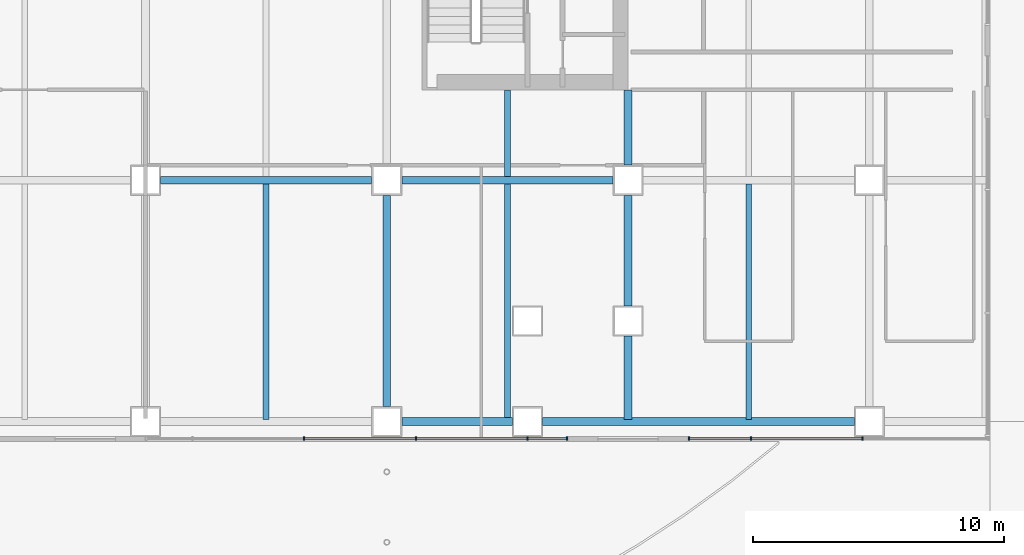
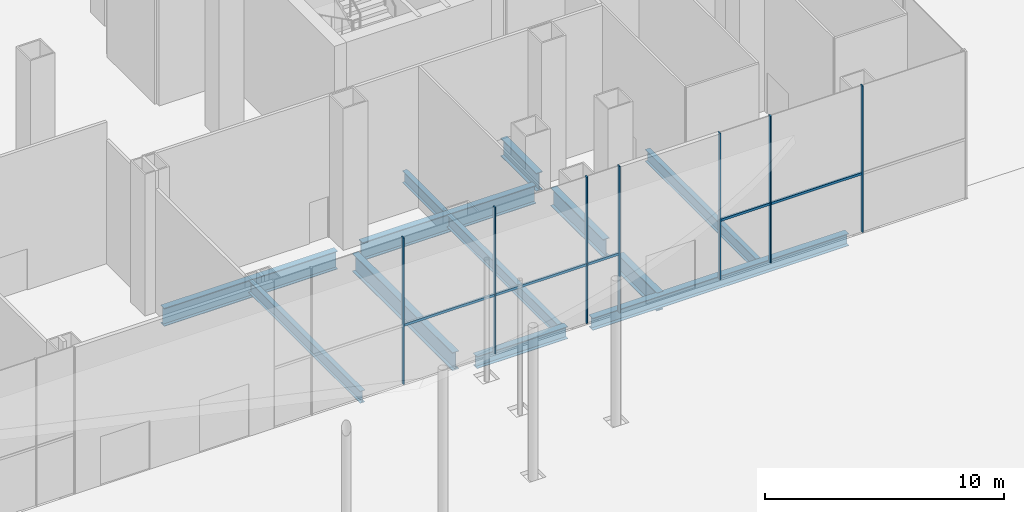
# One storey, part 11 of 36: 12 beams, 12 members, 2 elements without a shape of their own.
"""IFC4 building model written with IfcOpenShell, lengths in metres."""

from ifc_helpers import new_model, si_unit, direction, frame, origin, origin_2d, place, context, subcontext, project, spatial, rectangle, i_section, extrude, material, material_profile, profile_set, type_object, element, aggregate, save


model = new_model("IFC4")

# Units and contexts
model_context = context("Model", 3, precision=1e-05, world=origin(), true_north=direction((0.0, 1.0)))
body_context = subcontext(model_context, "Body", "Model", "MODEL_VIEW")
ifc_project = project(units=[si_unit("LENGTHUNIT", "METRE"), si_unit("AREAUNIT", "SQUARE_METRE"), si_unit("VOLUMEUNIT", "CUBIC_METRE"), si_unit("PLANEANGLEUNIT", "RADIAN"), si_unit("MASSUNIT", "GRAM", prefix="KILO")], contexts=[model_context])

# Site, building, storey
site_placement = place(None, origin())
site = spatial("IfcSite", under=ifc_project, at=site_placement, CompositionType="ELEMENT")
building_placement = place(site_placement, origin())
building = spatial("IfcBuilding", under=site, at=building_placement, Name="Cobrizo Arcos Hotel Tower", CompositionType="ELEMENT")
storey_placement = place(building_placement, origin())
storey = spatial("IfcBuildingStorey", under=building, at=storey_placement, Name="L00", CompositionType="ELEMENT", Elevation=0.0)

# Curtain wall, members
ifc_material_1 = material(Name="Aluminium 6063-T6 anodised bronze", Category="aluminium")
curtain_wall_type = type_object("IfcCurtainWallType", Name="CW-A guest facade", PredefinedType="NOTDEFINED", material=ifc_material_1)
curtain_wall_1_placement = place(storey_placement, origin())
curtain_wall_1 = element("IfcCurtainWall", 1, at=curtain_wall_1_placement, inside=storey, type_object=curtain_wall_type, Name="CW-A L00 S face", PredefinedType="NOTDEFINED")
ifc_material_profile_1 = material_profile(ifc_material_1, rectangle(XDim=0.14990234375, YDim=0.06005859375, at=origin_2d()), Name="CW-A mullion 150x60")
ifc_profile_set_1 = profile_set([ifc_material_profile_1], Name="Aluminium 6063-T6 anodised bronze")
member_type_1 = type_object("IfcMemberType", Name="CW-A mullion 150x60", PredefinedType="MULLION", material=ifc_profile_set_1)
member_1_placement = place(storey_placement, frame((11.111083984375, -24.675048828125, 0.0), z_axis=(0.0, 0.0, 1.0), x_axis=(0.0, -1.0, 0.0)))
member_1 = element("IfcMember", 2, at=member_1_placement, type_object=member_type_1, Name="CW-A mullion 3", PredefinedType="MULLION", context=body_context, shape_type="SweptSolid", body=[
    extrude(rectangle(XDim=0.14990234375, YDim=0.06005859375, at=origin_2d()), origin(), (0.0, 0.0, 1.0), 7.5),
])
member_2_placement = place(storey_placement, frame((15.5556640625, -24.675048828125, 0.0), z_axis=(0.0, 0.0, 1.0), x_axis=(0.0, -1.0, 0.0)))
member_2 = element("IfcMember", 3, at=member_2_placement, type_object=member_type_1, Name="CW-A mullion 4", PredefinedType="MULLION", context=body_context, shape_type="SweptSolid", body=[
    extrude(rectangle(XDim=0.14990234375, YDim=0.06005859375, at=origin_2d()), origin(), (0.0, 0.0, 1.0), 7.5),
])
member_3_placement = place(storey_placement, frame((20.0, -24.675048828125, 0.0), z_axis=(0.0, 0.0, 1.0), x_axis=(0.0, -1.0, 0.0)))
member_3 = element("IfcMember", 4, at=member_3_placement, type_object=member_type_1, Name="CW-A mullion 5", PredefinedType="MULLION", context=body_context, shape_type="SweptSolid", body=[
    extrude(rectangle(XDim=0.14990234375, YDim=0.06005859375, at=origin_2d()), origin(), (0.0, 0.0, 1.0), 7.5),
])
member_4_placement = place(storey_placement, frame((21.570068359375, -24.675048828125, 0.0), z_axis=(0.0, 0.0, 1.0), x_axis=(0.0, -1.0, 0.0)))
member_4 = element("IfcMember", 5, at=member_4_placement, type_object=member_type_1, Name="CW-A mullion 6", PredefinedType="MULLION", context=body_context, shape_type="SweptSolid", body=[
    extrude(rectangle(XDim=0.14990234375, YDim=0.06005859375, at=origin_2d()), origin(), (0.0, 0.0, 1.0), 7.5),
])

curtain_wall_2_placement = place(storey_placement, origin())
curtain_wall_2 = element("IfcCurtainWall", 6, at=curtain_wall_2_placement, inside=storey, type_object=curtain_wall_type, Name="CW-A L00 S face", PredefinedType="NOTDEFINED")
member_5_placement = place(storey_placement, frame((26.429931640625, -24.675048828125, 0.0), z_axis=(0.0, 0.0, 1.0), x_axis=(0.0, -1.0, 0.0)))
member_5 = element("IfcMember", 7, at=member_5_placement, type_object=member_type_1, Name="CW-A mullion 1", PredefinedType="MULLION", context=body_context, shape_type="SweptSolid", body=[
    extrude(rectangle(XDim=0.14990234375, YDim=0.06005859375, at=origin_2d()), origin(), (0.0, 0.0, 1.0), 7.5),
])
member_6_placement = place(storey_placement, frame((28.888916015625, -24.675048828125, 0.0), z_axis=(0.0, 0.0, 1.0), x_axis=(0.0, -1.0, 0.0)))
member_6 = element("IfcMember", 8, at=member_6_placement, type_object=member_type_1, Name="CW-A mullion 2", PredefinedType="MULLION", context=body_context, shape_type="SweptSolid", body=[
    extrude(rectangle(XDim=0.14990234375, YDim=0.06005859375, at=origin_2d()), origin(), (0.0, 0.0, 1.0), 7.5),
])
member_7_placement = place(storey_placement, frame((33.333251953125, -24.675048828125, 0.0), z_axis=(0.0, 0.0, 1.0), x_axis=(0.0, -1.0, 0.0)))
member_7 = element("IfcMember", 9, at=member_7_placement, type_object=member_type_1, Name="CW-A mullion 3", PredefinedType="MULLION", context=body_context, shape_type="SweptSolid", body=[
    extrude(rectangle(XDim=0.14990234375, YDim=0.06005859375, at=origin_2d()), origin(), (0.0, 0.0, 1.0), 7.5),
])

# Member
ifc_material_profile_2 = material_profile(ifc_material_1, rectangle(XDim=0.10009765625, YDim=0.1201171875, at=origin_2d()), Name="CW-A transom 120x100")
ifc_profile_set_2 = profile_set([ifc_material_profile_2], Name="Aluminium 6063-T6 anodised bronze")
member_type_2 = type_object("IfcMemberType", Name="CW-A transom 120x100", PredefinedType="USERDEFINED", material=ifc_profile_set_2)
member_8_placement = place(storey_placement, frame((11.14111328125, -24.675048828125, 3.0), z_axis=(1.0, 0.0, 0.0), x_axis=(0.0, 1.0, 0.0)))
member_8 = element("IfcMember", 10, at=member_8_placement, type_object=member_type_2, Name="CW-A transom 47", ObjectType="TRANSOM", PredefinedType="USERDEFINED", context=body_context, shape_type="SweptSolid", body=[
    extrude(rectangle(XDim=0.10009765625, YDim=0.1201171875, at=origin_2d()), origin(), (0.0, 0.0, 1.0), 4.384521484375),
])

member_9_placement = place(storey_placement, frame((15.58544921875, -24.675048828125, 3.0), z_axis=(1.0, 0.0, 0.0), x_axis=(0.0, 1.0, 0.0)))
member_9 = element("IfcMember", 11, at=member_9_placement, type_object=member_type_2, Name="CW-A transom 48", ObjectType="TRANSOM", PredefinedType="USERDEFINED", context=body_context, shape_type="SweptSolid", body=[
    extrude(rectangle(XDim=0.10009765625, YDim=0.1201171875, at=origin_2d()), origin(), (0.0, 0.0, 1.0), 4.384521484375),
])

member_10_placement = place(storey_placement, frame((20.030029296875, -24.675048828125, 3.0), z_axis=(1.0, 0.0, 0.0), x_axis=(0.0, 1.0, 0.0)))
member_10 = element("IfcMember", 12, at=member_10_placement, type_object=member_type_2, Name="CW-A transom 49", ObjectType="TRANSOM", PredefinedType="USERDEFINED", context=body_context, shape_type="SweptSolid", body=[
    extrude(rectangle(XDim=0.10009765625, YDim=0.1201171875, at=origin_2d()), origin(), (0.0, 0.0, 1.0), 1.510009765625),
])

aggregate(curtain_wall_1, [member_1, member_2, member_3, member_4, member_8, member_9, member_10])

member_11_placement = place(storey_placement, frame((26.4599609375, -24.675048828125, 3.0), z_axis=(1.0, 0.0, 0.0), x_axis=(0.0, 1.0, 0.0)))
member_11 = element("IfcMember", 13, at=member_11_placement, type_object=member_type_2, Name="CW-A transom 50", ObjectType="TRANSOM", PredefinedType="USERDEFINED", context=body_context, shape_type="SweptSolid", body=[
    extrude(rectangle(XDim=0.10009765625, YDim=0.1201171875, at=origin_2d()), origin(), (0.0, 0.0, 1.0), 2.39892578125),
])

member_12_placement = place(storey_placement, frame((28.9189453125, -24.675048828125, 3.0), z_axis=(1.0, 0.0, 0.0), x_axis=(0.0, 1.0, 0.0)))
member_12 = element("IfcMember", 14, at=member_12_placement, type_object=member_type_2, Name="CW-A transom 51", ObjectType="TRANSOM", PredefinedType="USERDEFINED", context=body_context, shape_type="SweptSolid", body=[
    extrude(rectangle(XDim=0.10009765625, YDim=0.1201171875, at=origin_2d()), origin(), (0.0, 0.0, 1.0), 4.38427734375),
])

aggregate(curtain_wall_2, [member_5, member_6, member_7, member_11, member_12])

# Beams
ifc_material_2 = material(Name="Steel ASTM A992 Grade 50", Category="steel")
ifc_material_profile_3 = material_profile(ifc_material_2, i_section(OverallWidth=0.32763671875, OverallDepth=0.622314453125, WebThickness=0.015380859375, FlangeThickness=0.0244140625, at=origin_2d()), Name="W24X131")
ifc_profile_set_3 = profile_set([ifc_material_profile_3], Name="Steel ASTM A992 Grade 50")
beam_type_1 = type_object("IfcBeamType", Name="W24X131 spandrel", PredefinedType="SPANDREL", material=ifc_profile_set_3)
beam_1_placement = place(storey_placement, frame((15.0, -24.0, -0.611083984375), z_axis=(1.0, 0.0, 0.0), x_axis=(0.0, 1.0, 0.0)))
element("IfcBeam", 15, at=beam_1_placement, inside=storey, type_object=beam_type_1, Name="Spandrel beam W24X131, L00, no. 013", PredefinedType="SPANDREL", context=body_context, shape_type="SweptSolid", body=[
    extrude(i_section(OverallWidth=0.32763671875, OverallDepth=0.622314453125, WebThickness=0.015380859375, FlangeThickness=0.0244140625, at=origin_2d()), origin(), (0.0, 0.0, 1.0), 4.39990234375),
])
beam_2_placement = place(storey_placement, frame((20.60009765625, -24.0, -0.611083984375), z_axis=(1.0, 0.0, 0.0), x_axis=(0.0, 1.0, 0.0)))
element("IfcBeam", 16, at=beam_2_placement, inside=storey, type_object=beam_type_1, Name="Spandrel beam W24X131, L00, no. 014", PredefinedType="SPANDREL", context=body_context, shape_type="SweptSolid", body=[
    extrude(i_section(OverallWidth=0.32763671875, OverallDepth=0.622314453125, WebThickness=0.015380859375, FlangeThickness=0.0244140625, at=origin_2d()), origin(), (0.0, 0.0, 1.0), 12.39990234375),
])
ifc_material_profile_4 = material_profile(ifc_material_2, i_section(OverallWidth=0.23046875, OverallDepth=0.6171875, WebThickness=0.01318359375, FlangeThickness=0.022216796875, at=origin_2d()), Name="W24X94")
ifc_profile_set_4 = profile_set([ifc_material_profile_4], Name="Steel ASTM A992 Grade 50")
beam_type_2 = type_object("IfcBeamType", Name="W24X94 podium joist", PredefinedType="JOIST", material=ifc_profile_set_4)
for number, where, z_axis, x_axis, name in (
    (17, (9.60009765625, -23.909912109375, -0.608642578125), (0.0, 1.0, 0.0), (-1.0, 0.0, 0.0), "Podium joist PJ1, L00, no. 020"),
    (18, (19.199951171875, -23.909912109375, -0.608642578125), (0.0, 1.0, 0.0), (-1.0, 0.0, 0.0), "Podium joist PJ1, L00, no. 025"),
):
    element("IfcBeam", number, at=place(storey_placement, frame(where, z_axis=z_axis, x_axis=x_axis)), inside=storey, type_object=beam_type_2, Name=name, PredefinedType="JOIST", context=body_context, shape_type="SweptSolid", body=[
        extrude(i_section(OverallWidth=0.23046875, OverallDepth=0.6171875, WebThickness=0.01318359375, FlangeThickness=0.022216796875, at=origin_2d()), origin(), (0.0, 0.0, 1.0), 9.356201171875),
    ])
beam_3_placement = place(storey_placement, frame((19.199951171875, -14.246337890625, -0.608642578125), z_axis=(0.0, 1.0, 0.0), x_axis=(-1.0, 0.0, 0.0)))
element("IfcBeam", 19, at=beam_3_placement, inside=storey, type_object=beam_type_2, Name="Podium joist PJ1, L00, no. 026", PredefinedType="JOIST", context=body_context, shape_type="SweptSolid", body=[
    extrude(i_section(OverallWidth=0.23046875, OverallDepth=0.6171875, WebThickness=0.01318359375, FlangeThickness=0.022216796875, at=origin_2d()), origin(), (0.0, 0.0, 1.0), 3.436279296875),
])
beam_4_placement = place(storey_placement, frame((28.800048828125, -23.909912109375, -0.608642578125), z_axis=(0.0, 1.0, 0.0), x_axis=(-1.0, 0.0, 0.0)))
element("IfcBeam", 20, at=beam_4_placement, inside=storey, type_object=beam_type_2, Name="Podium joist PJ1, L00, no. 029", PredefinedType="JOIST", context=body_context, shape_type="SweptSolid", body=[
    extrude(i_section(OverallWidth=0.23046875, OverallDepth=0.6171875, WebThickness=0.01318359375, FlangeThickness=0.022216796875, at=origin_2d()), origin(), (0.0, 0.0, 1.0), 9.356201171875),
])
ifc_material_profile_5 = material_profile(ifc_material_2, i_section(OverallWidth=0.307373046875, OverallDepth=0.927001953125, WebThickness=0.01953125, FlangeThickness=0.031982421875, at=origin_2d()), Name="W36X194")
ifc_profile_set_5 = profile_set([ifc_material_profile_5], Name="Steel ASTM A992 Grade 50")
beam_type_3 = type_object("IfcBeamType", Name="W36X194 podium girder", PredefinedType="BEAM", material=ifc_profile_set_5)
beam_5_placement = place(storey_placement, frame((5.39990234375, -14.39990234375, -0.763427734375), z_axis=(1.0, 0.0, 0.0), x_axis=(0.0, 1.0, 0.0)))
element("IfcBeam", 21, at=beam_5_placement, inside=storey, type_object=beam_type_3, Name="Podium girder PG1, L00, no. 006", PredefinedType="BEAM", context=body_context, shape_type="SweptSolid", body=[
    extrude(i_section(OverallWidth=0.307373046875, OverallDepth=0.927001953125, WebThickness=0.01953125, FlangeThickness=0.031982421875, at=origin_2d()), origin(), (0.0, 0.0, 1.0), 8.400146484375),
])
for number, where, z_axis, x_axis, name in (
    (22, (15.0, -14.39990234375, -0.763427734375), (1.0, 0.0, 0.0), (0.0, 1.0, 0.0), "Podium girder PG1, L00, no. 007"),
    (23, (14.39990234375, -23.39990234375, -0.763427734375), (0.0, 1.0, 0.0), (-1.0, 0.0, 0.0), "Podium girder PG1, L00, no. 061"),
):
    element("IfcBeam", number, at=place(storey_placement, frame(where, z_axis=z_axis, x_axis=x_axis)), inside=storey, type_object=beam_type_3, Name=name, PredefinedType="BEAM", context=body_context, shape_type="SweptSolid", body=[
        extrude(i_section(OverallWidth=0.307373046875, OverallDepth=0.927001953125, WebThickness=0.01953125, FlangeThickness=0.031982421875, at=origin_2d()), origin(), (0.0, 0.0, 1.0), 8.39990234375),
    ])
beam_6_placement = place(storey_placement, frame((24.0, -23.909912109375, -0.763427734375), z_axis=(0.0, 1.0, 0.0), x_axis=(-1.0, 0.0, 0.0)))
element("IfcBeam", 24, at=beam_6_placement, inside=storey, type_object=beam_type_3, Name="Podium girder PG1, L00, no. 066", PredefinedType="BEAM", context=body_context, shape_type="SweptSolid", body=[
    extrude(i_section(OverallWidth=0.307373046875, OverallDepth=0.927001953125, WebThickness=0.01953125, FlangeThickness=0.031982421875, at=origin_2d()), origin(), (0.0, 0.0, 1.0), 3.309814453125),
])
beam_7_placement = place(storey_placement, frame((24.0, -19.39990234375, -0.763427734375), z_axis=(0.0, 1.0, 0.0), x_axis=(-1.0, 0.0, 0.0)))
element("IfcBeam", 25, at=beam_7_placement, inside=storey, type_object=beam_type_3, Name="Podium girder PG1, L00, no. 067", PredefinedType="BEAM", context=body_context, shape_type="SweptSolid", body=[
    extrude(i_section(OverallWidth=0.307373046875, OverallDepth=0.927001953125, WebThickness=0.01953125, FlangeThickness=0.031982421875, at=origin_2d()), origin(), (0.0, 0.0, 1.0), 4.39990234375),
])
beam_8_placement = place(storey_placement, frame((24.0, -13.800048828125, -0.763427734375), z_axis=(0.0, 1.0, 0.0), x_axis=(-1.0, 0.0, 0.0)))
element("IfcBeam", 26, at=beam_8_placement, inside=storey, type_object=beam_type_3, Name="Podium girder PG1, L00, no. 068", PredefinedType="BEAM", context=body_context, shape_type="SweptSolid", body=[
    extrude(i_section(OverallWidth=0.307373046875, OverallDepth=0.927001953125, WebThickness=0.01953125, FlangeThickness=0.031982421875, at=origin_2d()), origin(), (0.0, 0.0, 1.0), 2.989990234375),
])

save(model, "model.ifc")
